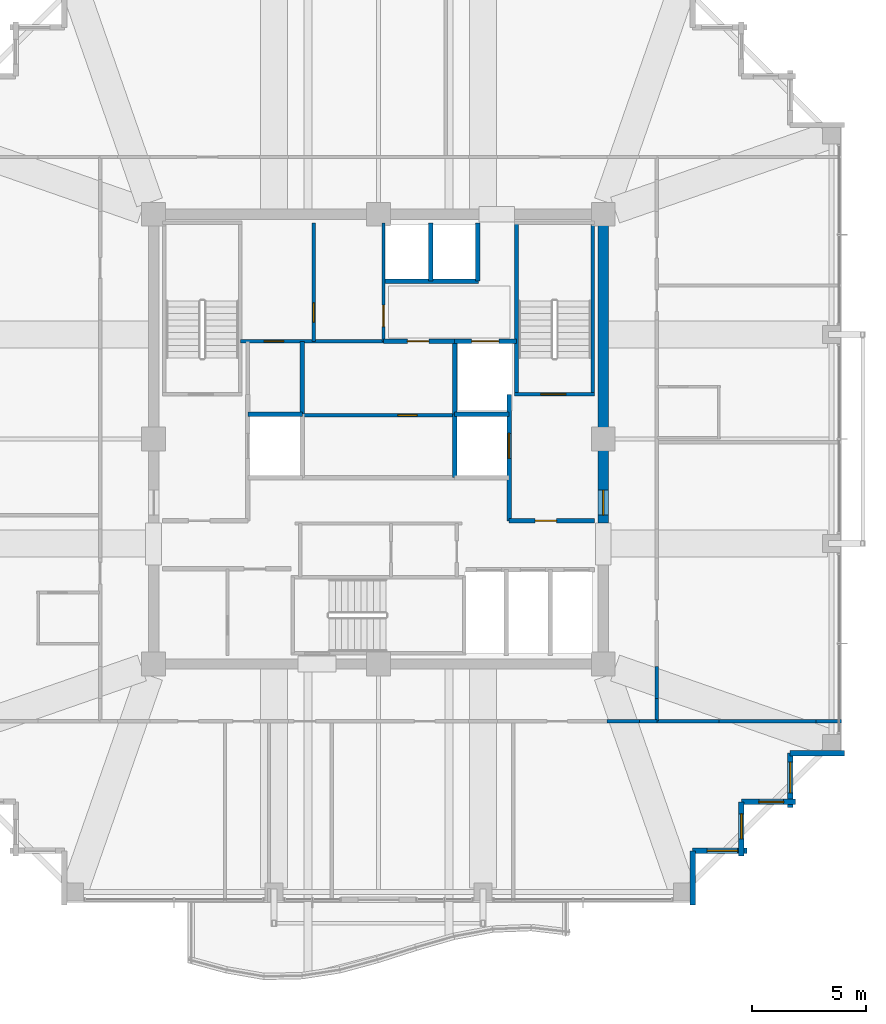
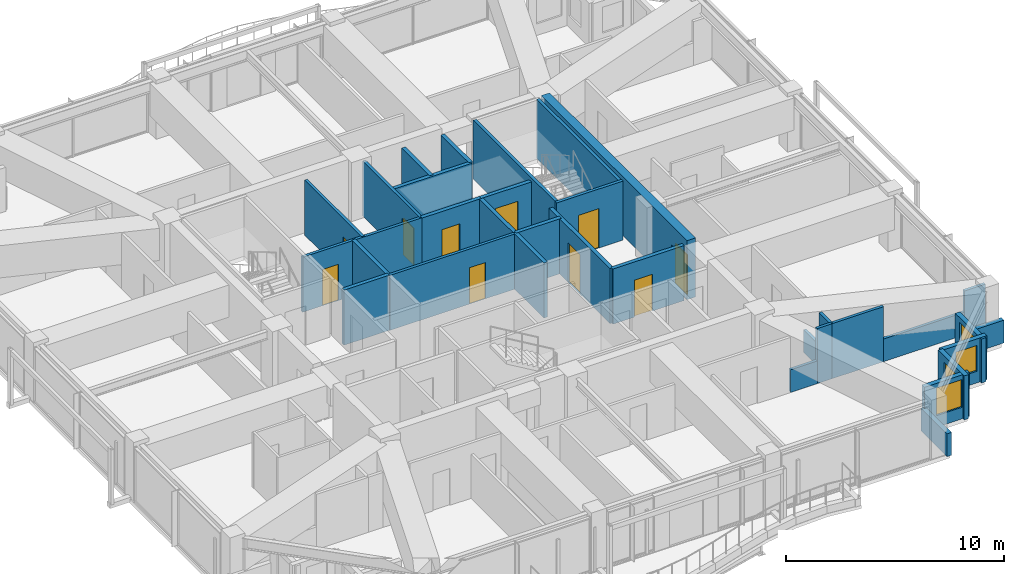
# One storey, part 33 of 37: 33 walls, 10 doors, 4 windows, 14 openings.
"""IFC4 building model written with IfcOpenShell, lengths in metres."""

from ifc_helpers import new_model, si_unit, direction, frame, frame_2d, origin, place, context, subcontext, project, spatial, rectangle, extrude, material, layer, layer_set, type_object, element, fill, save


model = new_model("IFC4")

# Units and contexts
model_context = context("Model", 3, precision=1e-05, world=origin(), true_north=direction((0.0, 1.0)))
body_context = subcontext(model_context, "Body", "Model", "MODEL_VIEW")
ifc_project = project(units=[si_unit("LENGTHUNIT", "METRE"), si_unit("AREAUNIT", "SQUARE_METRE"), si_unit("VOLUMEUNIT", "CUBIC_METRE"), si_unit("PLANEANGLEUNIT", "RADIAN"), si_unit("MASSUNIT", "GRAM", prefix="KILO")], contexts=[model_context])

# Site, building, storey
site_placement = place(None, origin())
site = spatial("IfcSite", under=ifc_project, at=site_placement, CompositionType="ELEMENT")
building_placement = place(site_placement, origin())
building = spatial("IfcBuilding", under=site, at=building_placement, Name="Kolvaren Belvedere", CompositionType="ELEMENT")
storey_placement = place(building_placement, frame((0.0, 0.0, 219.60009765625)))
storey = spatial("IfcBuildingStorey", under=building, at=storey_placement, Name="L64", CompositionType="ELEMENT", Elevation=219.60009765625)

# Wall, opening, door
ifc_material_1 = material(Name="Concrete C50/60", Category="concrete")
ifc_layer_1 = layer(ifc_material_1, 0.449951171875)
ifc_layer_set_1 = layer_set([ifc_layer_1], Name="Concrete C50/60")
wall_type_1 = type_object("IfcWallType", Name="CW-CORE-450", PredefinedType="SHEAR", material=ifc_layer_set_1)
wall_1_placement = place(storey_placement, frame((9.89990234375, -3.699951171875, 0.0), z_axis=(0.0, 0.0, 1.0), x_axis=(0.0, 1.0, 0.0)))
wall_1 = element("IfcWall", 1, at=wall_1_placement, inside=storey, type_object=wall_type_1, Name="L64 East Core Shear Wall 2", PredefinedType="SHEAR", context=body_context, shape_type="SweptSolid", body=[
    extrude(rectangle(XDim=13.375, YDim=0.449951171875, at=frame_2d((6.6875, 0.0))), origin(), (0.0, 0.0, 1.0), 3.2998046875),
])
opening_1_placement = place(wall_1_placement, frame((0.35009765625, 0.0, 0.0)))
opening_1 = element("IfcOpeningElement", 2, at=opening_1_placement, cuts=wall_1, Name="Opening D-FD90", PredefinedType="OPENING", context=body_context, shape_type="SweptSolid", body=[
    extrude(rectangle(XDim=1.10009765625, YDim=2.199951171875, at=frame_2d((0.550048828125, 1.10009765625))), frame((0.0, 0.23486328125, 0.0), z_axis=(0.0, -1.0, 0.0), x_axis=(1.0, 0.0, 0.0)), (0.0, 0.0, 1.0), 0.469970703125),
])
ifc_material_2 = material(Name="Painted hollow stainless steel", Category="steel")
door_type_1 = type_object("IfcDoorType", Name="DR-FD90-1100", OperationType="NOTDEFINED", PredefinedType="DOOR", material=ifc_material_2)
door_1_placement = place(opening_1_placement, origin())
door_1 = element("IfcDoor", 3, at=door_1_placement, inside=storey, type_object=door_type_1, Name="L64 East Firefighting Lobby Fire Door", OperationType="SINGLE_SWING_RIGHT", OverallHeight=2.199951171875, OverallWidth=1.10009765625, PredefinedType="DOOR", context=body_context, shape_type="SweptSolid", body=[
    extrude(rectangle(XDim=1.10009765625, YDim=2.199951171875, at=frame_2d((0.550048828125, 1.10009765625))), frame((0.0, 0.02490234375, 0.0), z_axis=(0.0, -1.0, 0.0), x_axis=(1.0, 0.0, 0.0)), (0.0, 0.0, 1.0), 0.050048828125),
])
fill(opening_1, door_1)

ifc_material_3 = material(Name="Concrete C50/60", Category="concrete")
ifc_layer_2 = layer(ifc_material_3, 0.159912109375)
ifc_layer_set_2 = layer_set([ifc_layer_2], Name="Concrete C50/60")
wall_type_2 = type_object("IfcWallType", Name="CW-STAIR-160", PredefinedType="SHEAR", material=ifc_layer_set_2)
wall_2_placement = place(storey_placement, frame((6.0, 1.969970703125, 0.0), z_axis=(0.0, 0.0, 1.0), x_axis=(1.0, 0.0, 0.0)))
wall_2 = element("IfcWall", 4, at=wall_2_placement, inside=storey, type_object=wall_type_2, Name="L64 Stair ST-2 South Shear Wall", PredefinedType="SHEAR", context=body_context, shape_type="SweptSolid", body=[
    extrude(rectangle(XDim=3.52001953125, YDim=0.159912109375, at=frame_2d((1.760009765625, 0.0))), origin(), (0.0, 0.0, 1.0), 3.2998046875),
])
opening_2_placement = place(wall_2_placement, frame((1.14990234375, 0.0, 0.0)))
opening_2 = element("IfcOpeningElement", 5, at=opening_2_placement, cuts=wall_2, Name="Opening D-FD90", PredefinedType="OPENING", context=body_context, shape_type="SweptSolid", body=[
    extrude(rectangle(XDim=1.10009765625, YDim=2.199951171875, at=frame_2d((0.550048828125, 1.10009765625))), frame((0.0, 0.08984375, 0.0), z_axis=(0.0, -1.0, 0.0), x_axis=(1.0, 0.0, 0.0)), (0.0, 0.0, 1.0), 0.179931640625),
])
door_2_placement = place(opening_2_placement, origin())
door_2 = element("IfcDoor", 6, at=door_2_placement, inside=storey, type_object=door_type_1, Name="L64 Stair ST-2 Fire Door", OperationType="SINGLE_SWING_RIGHT", OverallHeight=2.199951171875, OverallWidth=1.10009765625, PredefinedType="DOOR", context=body_context, shape_type="SweptSolid", body=[
    extrude(rectangle(XDim=1.10009765625, YDim=2.199951171875, at=frame_2d((0.550048828125, 1.10009765625))), frame((0.0, 0.02490234375, 0.0), z_axis=(0.0, -1.0, 0.0), x_axis=(1.0, 0.0, 0.0)), (0.0, 0.0, 1.0), 0.050048828125),
])
fill(opening_2, door_2)

# Walls
for number, where, z_axis, x_axis, name in (
    (7, (6.080078125, 1.969970703125, 0.0), (0.0, 0.0, 1.0), (0.0, 1.0, 0.0), "L64 Stair ST-2 West Shear Wall"),
    (8, (9.429931640625, 1.969970703125, 0.0), (0.0, 0.0, 1.0), (0.0, 1.0, 0.0), "L64 Stair ST-2 East Shear Wall"),
):
    element("IfcWall", number, at=place(storey_placement, frame(where, z_axis=z_axis, x_axis=x_axis)), inside=storey, type_object=wall_type_2, Name=name, PredefinedType="SHEAR", context=body_context, shape_type="SweptSolid", body=[
        extrude(rectangle(XDim=7.56005859375, YDim=0.159912109375, at=frame_2d((3.780029296875, 0.0))), origin(), (0.0, 0.0, 1.0), 3.2998046875),
    ])
ifc_material_4 = material(Name="Gypsum fire-rated partition assembly", Category="gypsum")
ifc_layer_3 = layer(ifc_material_4, 0.14990234375)
ifc_layer_set_3 = layer_set([ifc_layer_3], Name="Gypsum fire-rated partition assembly")
wall_type_3 = type_object("IfcWallType", Name="WL-CORR-150", PredefinedType="PARTITIONING", material=ifc_layer_set_3)
wall_3_placement = place(storey_placement, frame((10.0693359375, -12.419921875, 0.0), z_axis=(0.0, 0.0, 1.0), x_axis=(1.0, 0.0, 0.0)))
element("IfcWall", 9, at=wall_3_placement, inside=storey, type_object=wall_type_3, Name="L64 South Corridor Wall", PredefinedType="PARTITIONING", context=body_context, shape_type="SweptSolid", body=[
    extrude(rectangle(XDim=1.416748046875, YDim=0.14990234375, at=frame_2d((0.70849609375, 0.0))), origin(), (0.0, 0.0, 1.0), 1.264892578125),
])
wall_4_placement = place(storey_placement, frame((11.486083984375, -12.419921875, 0.0), z_axis=(0.0, 0.0, 1.0), x_axis=(1.0, 0.0, 0.0)))
element("IfcWall", 10, at=wall_4_placement, inside=storey, type_object=wall_type_3, Name="L64 South Corridor Wall", PredefinedType="PARTITIONING", context=body_context, shape_type="SweptSolid", body=[
    extrude(rectangle(XDim=0.77392578125, YDim=0.14990234375, at=frame_2d((0.386962890625, 0.0))), origin(), (0.0, 0.0, 1.0), 3.079833984375),
])
wall_5_placement = place(storey_placement, frame((12.260009765625, -12.419921875, 0.0), z_axis=(0.0, 0.0, 1.0), x_axis=(0.0, 1.0, 0.0)))
element("IfcWall", 11, at=wall_5_placement, inside=storey, type_object=wall_type_3, Name="L64 East Corridor Wall", PredefinedType="PARTITIONING", context=body_context, shape_type="SweptSolid", body=[
    extrude(rectangle(XDim=0.989501953125, YDim=0.14990234375, at=frame_2d((0.49462890625, 0.0))), origin(), (0.0, 0.0, 1.0), 3.079833984375),
])
wall_6_placement = place(storey_placement, frame((12.260009765625, -11.430419921875, 0.0), z_axis=(0.0, 0.0, 1.0), x_axis=(0.0, 1.0, 0.0)))
element("IfcWall", 12, at=wall_6_placement, inside=storey, type_object=wall_type_3, Name="L64 East Corridor Wall", PredefinedType="PARTITIONING", context=body_context, shape_type="SweptSolid", body=[
    extrude(rectangle(XDim=1.416748046875, YDim=0.14990234375, at=frame_2d((0.70849609375, 0.0))), origin(), (0.0, 0.0, 1.0), 1.264892578125),
])
ifc_material_5 = material(Name="Insulated pale-metal facade wall assembly", Category="aluminium")
ifc_layer_4 = layer(ifc_material_5, 0.239990234375)
ifc_layer_set_4 = layer_set([ifc_layer_4], Name="Insulated pale-metal facade wall assembly")
wall_type_4 = type_object("IfcWallType", Name="WL-EXT-240", PredefinedType="STANDARD", material=ifc_layer_set_4)
wall_7_placement = place(storey_placement, frame((13.830078125, -18.1298828125, 0.0), z_axis=(0.0, 0.0, 1.0), x_axis=(0.0, -1.0, 0.0)))
element("IfcWall", 13, at=wall_7_placement, inside=storey, type_object=wall_type_4, Name="L64 Serrated Corner Facade Wall 2", PredefinedType="STANDARD", context=body_context, shape_type="SweptSolid", body=[
    extrude(rectangle(XDim=2.39013671875, YDim=0.239990234375, at=frame_2d((1.195068359375, 0.0))), origin(), (0.0, 0.0, 1.0), 1.27490234375),
])

# Wall, opening, window
wall_8_placement = place(storey_placement, frame((16.219970703125, -18.1298828125, 0.0), z_axis=(0.0, 0.0, 1.0), x_axis=(-1.0, 0.0, 0.0)))
wall_8 = element("IfcWall", 14, at=wall_8_placement, inside=storey, type_object=wall_type_4, Name="L64 Serrated Corner Facade Wall 3", PredefinedType="STANDARD", context=body_context, shape_type="SweptSolid", body=[
    extrude(rectangle(XDim=2.389892578125, YDim=0.239990234375, at=frame_2d((1.19482421875, 0.0))), origin(), (0.0, 0.0, 1.0), 2.462890625),
])
opening_3_placement = place(wall_8_placement, frame((0.39990234375, 0.0, 0.64990234375)))
opening_3 = element("IfcOpeningElement", 15, at=opening_3_placement, cuts=wall_8, Name="Opening W-1350", PredefinedType="OPENING", context=body_context, shape_type="SweptSolid", body=[
    extrude(rectangle(XDim=1.35009765625, YDim=1.550048828125, at=frame_2d((0.675048828125, 0.77490234375))), frame((0.0, 0.1298828125, 0.0), z_axis=(0.0, -1.0, 0.0), x_axis=(1.0, 0.0, 0.0)), (0.0, 0.0, 1.0), 0.260009765625),
])
ifc_material_6 = material(Name="Low-iron triple insulated glass", Category="glass")
window_type_1 = type_object("IfcWindowType", Name="WN-CORN-1350", PartitioningType="SINGLE_PANEL", PredefinedType="WINDOW", material=ifc_material_6)
window_1_placement = place(opening_3_placement, origin())
window_1 = element("IfcWindow", 16, at=window_1_placement, inside=storey, type_object=window_type_1, Name="L64 Serrated Corner Vision Window 3", OverallHeight=1.550048828125, OverallWidth=1.35009765625, PartitioningType="SINGLE_PANEL", PredefinedType="WINDOW", context=body_context, shape_type="SweptSolid", body=[
    extrude(rectangle(XDim=1.35009765625, YDim=1.550048828125, at=frame_2d((0.675048828125, 0.77490234375))), frame((0.0, 0.030029296875, 0.0), z_axis=(0.0, -1.0, 0.0), x_axis=(1.0, 0.0, 0.0)), (0.0, 0.0, 1.0), 0.06005859375),
])
fill(opening_3, window_1)

wall_9_placement = place(storey_placement, frame((15.97998046875, -15.97998046875, 0.0), z_axis=(0.0, 0.0, 1.0), x_axis=(0.0, -1.0, 0.0)))
wall_9 = element("IfcWall", 17, at=wall_9_placement, inside=storey, type_object=wall_type_4, Name="L64 Serrated Corner Facade Wall 4", PredefinedType="STANDARD", context=body_context, shape_type="SweptSolid", body=[
    extrude(rectangle(XDim=2.39013671875, YDim=0.239990234375, at=frame_2d((1.195068359375, 0.0))), origin(), (0.0, 0.0, 1.0), 2.462890625),
])
opening_4_placement = place(wall_9_placement, frame((0.52490234375, 0.0, 0.64990234375)))
opening_4 = element("IfcOpeningElement", 18, at=opening_4_placement, cuts=wall_9, Name="Opening W-1100", PredefinedType="OPENING", context=body_context, shape_type="SweptSolid", body=[
    extrude(rectangle(XDim=1.10009765625, YDim=1.449951171875, at=frame_2d((0.550048828125, 0.72509765625))), frame((0.0, 0.1298828125, 0.0), z_axis=(0.0, -1.0, 0.0), x_axis=(1.0, 0.0, 0.0)), (0.0, 0.0, 1.0), 0.260009765625),
])
ifc_material_7 = material(Name="Low-iron triple insulated glass", Category="glass")
window_type_2 = type_object("IfcWindowType", Name="WN-CORN-1100", PartitioningType="SINGLE_PANEL", PredefinedType="WINDOW", material=ifc_material_7)
window_2_placement = place(opening_4_placement, origin())
window_2 = element("IfcWindow", 19, at=window_2_placement, inside=storey, type_object=window_type_2, Name="L64 Serrated Corner Vision Window 4", OverallHeight=1.449951171875, OverallWidth=1.10009765625, PartitioningType="SINGLE_PANEL", PredefinedType="WINDOW", context=body_context, shape_type="SweptSolid", body=[
    extrude(rectangle(XDim=1.10009765625, YDim=1.449951171875, at=frame_2d((0.550048828125, 0.72509765625))), frame((0.0, 0.030029296875, 0.0), z_axis=(0.0, -1.0, 0.0), x_axis=(1.0, 0.0, 0.0)), (0.0, 0.0, 1.0), 0.06005859375),
])
fill(opening_4, window_2)

wall_10_placement = place(storey_placement, frame((18.3701171875, -15.97998046875, 0.0), z_axis=(0.0, 0.0, 1.0), x_axis=(-1.0, 0.0, 0.0)))
wall_10 = element("IfcWall", 20, at=wall_10_placement, inside=storey, type_object=wall_type_4, Name="L64 Serrated Corner Facade Wall 5", PredefinedType="STANDARD", context=body_context, shape_type="SweptSolid", body=[
    extrude(rectangle(XDim=2.39013671875, YDim=0.239990234375, at=frame_2d((1.195068359375, 0.0))), origin(), (0.0, 0.0, 1.0), 2.462890625),
])
opening_5_placement = place(wall_10_placement, frame((0.52490234375, 0.0, 0.64990234375)))
opening_5 = element("IfcOpeningElement", 21, at=opening_5_placement, cuts=wall_10, Name="Opening W-1100", PredefinedType="OPENING", context=body_context, shape_type="SweptSolid", body=[
    extrude(rectangle(XDim=1.10009765625, YDim=1.449951171875, at=frame_2d((0.550048828125, 0.72509765625))), frame((0.0, 0.1298828125, 0.0), z_axis=(0.0, -1.0, 0.0), x_axis=(1.0, 0.0, 0.0)), (0.0, 0.0, 1.0), 0.260009765625),
])
window_3_placement = place(opening_5_placement, origin())
window_3 = element("IfcWindow", 22, at=window_3_placement, inside=storey, type_object=window_type_2, Name="L64 Serrated Corner Vision Window 5", OverallHeight=1.449951171875, OverallWidth=1.10009765625, PartitioningType="SINGLE_PANEL", PredefinedType="WINDOW", context=body_context, shape_type="SweptSolid", body=[
    extrude(rectangle(XDim=1.10009765625, YDim=1.449951171875, at=frame_2d((0.550048828125, 0.72509765625))), frame((0.0, 0.030029296875, 0.0), z_axis=(0.0, -1.0, 0.0), x_axis=(1.0, 0.0, 0.0)), (0.0, 0.0, 1.0), 0.06005859375),
])
fill(opening_5, window_3)

wall_11_placement = place(storey_placement, frame((18.1298828125, -13.830078125, 0.0), z_axis=(0.0, 0.0, 1.0), x_axis=(0.0, -1.0, 0.0)))
wall_11 = element("IfcWall", 23, at=wall_11_placement, inside=storey, type_object=wall_type_4, Name="L64 Serrated Corner Facade Wall 6", PredefinedType="STANDARD", context=body_context, shape_type="SweptSolid", body=[
    extrude(rectangle(XDim=2.389892578125, YDim=0.239990234375, at=frame_2d((1.19482421875, 0.0))), origin(), (0.0, 0.0, 1.0), 2.462890625),
])
opening_6_placement = place(wall_11_placement, frame((0.39990234375, 0.0, 0.64990234375)))
opening_6 = element("IfcOpeningElement", 24, at=opening_6_placement, cuts=wall_11, Name="Opening W-1350", PredefinedType="OPENING", context=body_context, shape_type="SweptSolid", body=[
    extrude(rectangle(XDim=1.35009765625, YDim=1.550048828125, at=frame_2d((0.675048828125, 0.77490234375))), frame((0.0, 0.1298828125, 0.0), z_axis=(0.0, -1.0, 0.0), x_axis=(1.0, 0.0, 0.0)), (0.0, 0.0, 1.0), 0.260009765625),
])
window_4_placement = place(opening_6_placement, origin())
window_4 = element("IfcWindow", 25, at=window_4_placement, inside=storey, type_object=window_type_1, Name="L64 Serrated Corner Vision Window 6", OverallHeight=1.550048828125, OverallWidth=1.35009765625, PartitioningType="SINGLE_PANEL", PredefinedType="WINDOW", context=body_context, shape_type="SweptSolid", body=[
    extrude(rectangle(XDim=1.35009765625, YDim=1.550048828125, at=frame_2d((0.675048828125, 0.77490234375))), frame((0.0, 0.030029296875, 0.0), z_axis=(0.0, -1.0, 0.0), x_axis=(1.0, 0.0, 0.0)), (0.0, 0.0, 1.0), 0.06005859375),
])
fill(opening_6, window_4)

# Wall
wall_12_placement = place(storey_placement, frame((20.52001953125, -13.830078125, 0.0), z_axis=(0.0, 0.0, 1.0), x_axis=(-1.0, 0.0, 0.0)))
element("IfcWall", 26, at=wall_12_placement, inside=storey, type_object=wall_type_4, Name="L64 Serrated Corner Facade Wall 7", PredefinedType="STANDARD", context=body_context, shape_type="SweptSolid", body=[
    extrude(rectangle(XDim=2.39013671875, YDim=0.239990234375, at=frame_2d((1.195068359375, 0.0))), origin(), (0.0, 0.0, 1.0), 1.27490234375),
])

# Wall, opening, door
ifc_material_8 = material(Name="Gypsum acoustic partition assembly", Category="gypsum")
ifc_layer_5 = layer(ifc_material_8, 0.14990234375)
ifc_layer_set_5 = layer_set([ifc_layer_5], Name="Gypsum acoustic partition assembly")
wall_type_5 = type_object("IfcWallType", Name="WL-PART-150", PredefinedType="PARTITIONING", material=ifc_layer_set_5)
wall_13_placement = place(storey_placement, frame((-6.080078125, 4.300048828125, 0.0), z_axis=(0.0, 0.0, 1.0), x_axis=(1.0, 0.0, 0.0)))
wall_13 = element("IfcWall", 27, at=wall_13_placement, inside=storey, type_object=wall_type_5, Name="L64 Reclaimed Salon South Wall", PredefinedType="PARTITIONING", context=body_context, shape_type="SweptSolid", body=[
    extrude(rectangle(XDim=6.300048828125, YDim=0.14990234375, at=frame_2d((3.14990234375, 0.0))), origin(), (0.0, 0.0, 1.0), 3.079833984375),
])
opening_7_placement = place(wall_13_placement, frame((1.050048828125, 0.0, 0.0)))
opening_7 = element("IfcOpeningElement", 28, at=opening_7_placement, cuts=wall_13, Name="Opening D-INT85", PredefinedType="OPENING", context=body_context, shape_type="SweptSolid", body=[
    extrude(rectangle(XDim=0.85009765625, YDim=2.030029296875, at=frame_2d((0.425048828125, 1.01513671875))), frame((0.0, 0.0849609375, 0.0), z_axis=(0.0, -1.0, 0.0), x_axis=(1.0, 0.0, 0.0)), (0.0, 0.0, 1.0), 0.169921875),
])
ifc_material_9 = material(Name="Stained Pacific white oak", Category="timber")
door_type_2 = type_object("IfcDoorType", Name="DR-INT-850", OperationType="NOTDEFINED", PredefinedType="DOOR", material=ifc_material_9)
door_3_placement = place(opening_7_placement, origin())
door_3 = element("IfcDoor", 29, at=door_3_placement, inside=storey, type_object=door_type_2, Name="L64 NW Core Store Door", OperationType="SINGLE_SWING_RIGHT", OverallHeight=2.030029296875, OverallWidth=0.85009765625, PredefinedType="DOOR", context=body_context, shape_type="SweptSolid", body=[
    extrude(rectangle(XDim=0.85009765625, YDim=2.030029296875, at=frame_2d((0.425048828125, 1.01513671875))), frame((0.0, 0.02490234375, 0.0), z_axis=(0.0, -1.0, 0.0), x_axis=(1.0, 0.0, 0.0)), (0.0, 0.0, 1.0), 0.050048828125),
])
fill(opening_7, door_3)

wall_14_placement = place(storey_placement, frame((0.219970703125, 4.300048828125, 0.0), z_axis=(0.0, 0.0, 1.0), x_axis=(0.0, 1.0, 0.0)))
wall_14 = element("IfcWall", 30, at=wall_14_placement, inside=storey, type_object=wall_type_5, Name="L64 Reclaimed Salon East Wall", PredefinedType="PARTITIONING", context=body_context, shape_type="SweptSolid", body=[
    extrude(rectangle(XDim=5.219970703125, YDim=0.14990234375, at=frame_2d((2.60986328125, 0.0))), origin(), (0.0, 0.0, 1.0), 3.079833984375),
])
opening_8_placement = place(wall_14_placement, frame((0.64990234375, 0.0, 0.0)))
opening_8 = element("IfcOpeningElement", 31, at=opening_8_placement, cuts=wall_14, Name="Opening D-INT95", PredefinedType="OPENING", context=body_context, shape_type="SweptSolid", body=[
    extrude(rectangle(XDim=0.949951171875, YDim=2.06005859375, at=frame_2d((0.47509765625, 1.030029296875))), frame((0.0, 0.0849609375, 0.0), z_axis=(0.0, -1.0, 0.0), x_axis=(1.0, 0.0, 0.0)), (0.0, 0.0, 1.0), 0.169921875),
])
ifc_material_10 = material(Name="Stained Pacific white oak", Category="timber")
door_type_3 = type_object("IfcDoorType", Name="DR-INT-950", OperationType="NOTDEFINED", PredefinedType="DOOR", material=ifc_material_10)
door_4_placement = place(opening_8_placement, origin())
door_4 = element("IfcDoor", 32, at=door_4_placement, inside=storey, type_object=door_type_3, Name="L64 Sky Boardroom Door", OperationType="SINGLE_SWING_LEFT", OverallHeight=2.06005859375, OverallWidth=0.949951171875, PredefinedType="DOOR", context=body_context, shape_type="SweptSolid", body=[
    extrude(rectangle(XDim=0.949951171875, YDim=2.06005859375, at=frame_2d((0.47509765625, 1.030029296875))), frame((0.0, 0.02490234375, 0.0), z_axis=(0.0, -1.0, 0.0), x_axis=(1.0, 0.0, 0.0)), (0.0, 0.0, 1.0), 0.050048828125),
])
fill(opening_8, door_4)

wall_15_placement = place(storey_placement, frame((-2.85009765625, 4.300048828125, 0.0), z_axis=(0.0, 0.0, 1.0), x_axis=(0.0, 1.0, 0.0)))
wall_15 = element("IfcWall", 33, at=wall_15_placement, inside=storey, type_object=wall_type_5, Name="L64 Reclaimed Salon Divider", PredefinedType="PARTITIONING", context=body_context, shape_type="SweptSolid", body=[
    extrude(rectangle(XDim=5.219970703125, YDim=0.14990234375, at=frame_2d((2.60986328125, 0.0))), origin(), (0.0, 0.0, 1.0), 3.079833984375),
])
opening_9_placement = place(wall_15_placement, frame((0.85009765625, 0.0, 0.0)))
opening_9 = element("IfcOpeningElement", 34, at=opening_9_placement, cuts=wall_15, Name="Opening D-INT85", PredefinedType="OPENING", context=body_context, shape_type="SweptSolid", body=[
    extrude(rectangle(XDim=0.85009765625, YDim=2.030029296875, at=frame_2d((0.425048828125, 1.01513671875))), frame((0.0, 0.0849609375, 0.0), z_axis=(0.0, -1.0, 0.0), x_axis=(1.0, 0.0, 0.0)), (0.0, 0.0, 1.0), 0.169921875),
])
door_5_placement = place(opening_9_placement, origin())
door_5 = element("IfcDoor", 35, at=door_5_placement, inside=storey, type_object=door_type_2, Name="L64 Beverage Pantry Door", OperationType="SINGLE_SWING_RIGHT", OverallHeight=2.030029296875, OverallWidth=0.85009765625, PredefinedType="DOOR", context=body_context, shape_type="SweptSolid", body=[
    extrude(rectangle(XDim=0.85009765625, YDim=2.030029296875, at=frame_2d((0.425048828125, 1.01513671875))), frame((0.0, 0.02490234375, 0.0), z_axis=(0.0, -1.0, 0.0), x_axis=(1.0, 0.0, 0.0)), (0.0, 0.0, 1.0), 0.050048828125),
])
fill(opening_9, door_5)

wall_16_placement = place(storey_placement, frame((-3.35009765625, 1.050048828125, 0.0), z_axis=(0.0, 0.0, 1.0), x_axis=(1.0, 0.0, 0.0)))
wall_16 = element("IfcWall", 36, at=wall_16_placement, inside=storey, type_object=wall_type_5, Name="L64 Central Core H-Divider", PredefinedType="PARTITIONING", context=body_context, shape_type="SweptSolid", body=[
    extrude(rectangle(XDim=6.7001953125, YDim=0.14990234375, at=frame_2d((3.35009765625, 0.0))), origin(), (0.0, 0.0, 1.0), 3.079833984375),
])
opening_10_placement = place(wall_16_placement, frame((4.199951171875, 0.0, 0.0)))
opening_10 = element("IfcOpeningElement", 37, at=opening_10_placement, cuts=wall_16, Name="Opening D-INT85", PredefinedType="OPENING", context=body_context, shape_type="SweptSolid", body=[
    extrude(rectangle(XDim=0.85009765625, YDim=2.030029296875, at=frame_2d((0.425048828125, 1.01513671875))), frame((0.0, 0.0849609375, 0.0), z_axis=(0.0, -1.0, 0.0), x_axis=(1.0, 0.0, 0.0)), (0.0, 0.0, 1.0), 0.169921875),
])
door_6_placement = place(opening_10_placement, origin())
door_6 = element("IfcDoor", 38, at=door_6_placement, inside=storey, type_object=door_type_2, Name="L64 Central Archive Door", OperationType="SINGLE_SWING_LEFT", OverallHeight=2.030029296875, OverallWidth=0.85009765625, PredefinedType="DOOR", context=body_context, shape_type="SweptSolid", body=[
    extrude(rectangle(XDim=0.85009765625, YDim=2.030029296875, at=frame_2d((0.425048828125, 1.01513671875))), frame((0.0, 0.02490234375, 0.0), z_axis=(0.0, -1.0, 0.0), x_axis=(1.0, 0.0, 0.0)), (0.0, 0.0, 1.0), 0.050048828125),
])
fill(opening_10, door_6)

# Walls
wall_17_placement = place(storey_placement, frame((12.260009765625, -12.419921875, 0.0), z_axis=(0.0, 0.0, 1.0), x_axis=(1.0, 0.0, 0.0)))
element("IfcWall", 39, at=wall_17_placement, inside=storey, type_object=wall_type_5, Name="L64 Wing Divider PW-L64-QSE", PredefinedType="PARTITIONING", context=body_context, shape_type="SweptSolid", body=[
    extrude(rectangle(XDim=2.7353515625, YDim=0.14990234375, at=frame_2d((1.36767578125, 0.0))), origin(), (0.0, 0.0, 1.0), 3.079833984375),
])
wall_18_placement = place(storey_placement, frame((14.995361328125, -12.419921875, 0.0), z_axis=(0.0, 0.0, 1.0), x_axis=(1.0, 0.0, 0.0)))
element("IfcWall", 40, at=wall_18_placement, inside=storey, type_object=wall_type_5, Name="L64 Wing Divider PW-L64-QSE", PredefinedType="PARTITIONING", context=body_context, shape_type="SweptSolid", body=[
    extrude(rectangle(XDim=4.28125, YDim=0.14990234375, at=frame_2d((2.140625, 0.0))), origin(), (0.0, 0.0, 1.0), 1.264892578125),
])
wall_19_placement = place(storey_placement, frame((19.276611328125, -12.419921875, 0.0), z_axis=(0.0, 0.0, 1.0), x_axis=(1.0, 0.0, 0.0)))
element("IfcWall", 41, at=wall_19_placement, inside=storey, type_object=wall_type_5, Name="L64 Wing Divider PW-L64-QSE", PredefinedType="PARTITIONING", context=body_context, shape_type="SweptSolid", body=[
    extrude(rectangle(XDim=1.103271484375, YDim=0.14990234375, at=frame_2d((0.5517578125, 0.0))), origin(), (0.0, 0.0, 1.0), 2.452880859375),
])
ifc_material_11 = material(Name="Concrete C50/60", Category="concrete")
ifc_layer_6 = layer(ifc_material_11, 0.199951171875)
ifc_layer_set_6 = layer_set([ifc_layer_6], Name="Concrete C50/60")
wall_type_6 = type_object("IfcWallType", Name="WL-SHAFT-200", PredefinedType="SOLIDWALL", material=ifc_layer_set_6)
wall_20_placement = place(storey_placement, frame((-5.75, 1.10009765625, 0.0), z_axis=(0.0, 0.0, 1.0), x_axis=(1.0, 0.0, 0.0)))
element("IfcWall", 42, at=wall_20_placement, inside=storey, type_object=wall_type_6, Name="L64 FSAE FS1 North Wall", PredefinedType="SOLIDWALL", context=body_context, shape_type="SweptSolid", body=[
    extrude(rectangle(XDim=2.39990234375, YDim=0.199951171875, at=frame_2d((1.199951171875, 0.0))), origin(), (0.0, 0.0, 1.0), 3.079833984375),
])

# Wall, opening, door
wall_21_placement = place(storey_placement, frame((5.75, -3.60009765625, 0.0), z_axis=(0.0, 0.0, 1.0), x_axis=(1.0, 0.0, 0.0)))
wall_21 = element("IfcWall", 43, at=wall_21_placement, inside=storey, type_object=wall_type_6, Name="L64 East FSAE Lobby South Wall", PredefinedType="SOLIDWALL", context=body_context, shape_type="SweptSolid", body=[
    extrude(rectangle(XDim=3.77001953125, YDim=0.199951171875, at=frame_2d((1.885009765625, 0.0))), origin(), (0.0, 0.0, 1.0), 3.079833984375),
])
opening_11_placement = place(wall_21_placement, frame((1.14990234375, 0.0, 0.0)))
opening_11 = element("IfcOpeningElement", 44, at=opening_11_placement, cuts=wall_21, Name="Opening D-FD60", PredefinedType="OPENING", context=body_context, shape_type="SweptSolid", body=[
    extrude(rectangle(XDim=0.949951171875, YDim=2.06005859375, at=frame_2d((0.47509765625, 1.030029296875))), frame((0.0, 0.10986328125, 0.0), z_axis=(0.0, -1.0, 0.0), x_axis=(1.0, 0.0, 0.0)), (0.0, 0.0, 1.0), 0.219970703125),
])
ifc_material_12 = material(Name="Acoustic white-oak fire door leaf", Category="timber")
door_type_4 = type_object("IfcDoorType", Name="DR-FD60-950", OperationType="NOTDEFINED", PredefinedType="DOOR", material=ifc_material_12)
door_7_placement = place(opening_11_placement, origin())
door_7 = element("IfcDoor", 45, at=door_7_placement, inside=storey, type_object=door_type_4, Name="L64 SE Lift Lobby Fire Door", OperationType="SINGLE_SWING_RIGHT", OverallHeight=2.06005859375, OverallWidth=0.949951171875, PredefinedType="DOOR", context=body_context, shape_type="SweptSolid", body=[
    extrude(rectangle(XDim=0.949951171875, YDim=2.06005859375, at=frame_2d((0.47509765625, 1.030029296875))), frame((0.0, 0.02490234375, 0.0), z_axis=(0.0, -1.0, 0.0), x_axis=(1.0, 0.0, 0.0)), (0.0, 0.0, 1.0), 0.050048828125),
])
fill(opening_11, door_7)

wall_22_placement = place(storey_placement, frame((5.75, -3.60009765625, 0.0), z_axis=(0.0, 0.0, 1.0), x_axis=(0.0, 1.0, 0.0)))
wall_22 = element("IfcWall", 46, at=wall_22_placement, inside=storey, type_object=wall_type_6, Name="L64 FSAE FS2 Landing Wall", PredefinedType="SOLIDWALL", context=body_context, shape_type="SweptSolid", body=[
    extrude(rectangle(XDim=5.570068359375, YDim=0.199951171875, at=frame_2d((2.78515625, 0.0))), origin(), (0.0, 0.0, 1.0), 3.079833984375),
])
opening_12_placement = place(wall_22_placement, frame((2.75, 0.0, 0.0)))
opening_12 = element("IfcOpeningElement", 47, at=opening_12_placement, cuts=wall_22, Name="Opening LD-11", PredefinedType="OPENING", context=body_context, shape_type="SweptSolid", body=[
    extrude(rectangle(XDim=1.10009765625, YDim=2.199951171875, at=frame_2d((0.550048828125, 1.10009765625))), frame((0.0, 0.10986328125, 0.0), z_axis=(0.0, -1.0, 0.0), x_axis=(1.0, 0.0, 0.0)), (0.0, 0.0, 1.0), 0.219970703125),
])
ifc_material_13 = material(Name="Brushed stainless steel", Category="steel")
door_type_5 = type_object("IfcDoorType", Name="DR-LIFT-1100", OperationType="DOUBLE_DOOR_SLIDING", PredefinedType="DOOR", material=ifc_material_13)
door_8_placement = place(opening_12_placement, origin())
door_8 = element("IfcDoor", 48, at=door_8_placement, inside=storey, type_object=door_type_5, Name="L64 Firefighting Lift FS2 Landing Door", OperationType="DOUBLE_DOOR_SLIDING", OverallHeight=2.199951171875, OverallWidth=1.10009765625, PredefinedType="DOOR", context=body_context, shape_type="SweptSolid", body=[
    extrude(rectangle(XDim=1.10009765625, YDim=2.199951171875, at=frame_2d((0.550048828125, 1.10009765625))), frame((0.0, 0.02490234375, 0.0), z_axis=(0.0, -1.0, 0.0), x_axis=(1.0, 0.0, 0.0)), (0.0, 0.0, 1.0), 0.050048828125),
])
fill(opening_12, door_8)

# Walls
wall_23_placement = place(storey_placement, frame((3.35009765625, -1.699951171875, 0.0), z_axis=(0.0, 0.0, 1.0), x_axis=(0.0, 1.0, 0.0)))
element("IfcWall", 49, at=wall_23_placement, inside=storey, type_object=wall_type_6, Name="L64 FSAE FS2 Back Wall", PredefinedType="SOLIDWALL", context=body_context, shape_type="SweptSolid", body=[
    extrude(rectangle(XDim=2.800048828125, YDim=0.199951171875, at=frame_2d((1.39990234375, 0.0))), origin(), (0.0, 0.0, 1.0), 3.079833984375),
])
wall_24_placement = place(storey_placement, frame((3.35009765625, 1.10009765625, 0.0), z_axis=(0.0, 0.0, 1.0), x_axis=(1.0, 0.0, 0.0)))
element("IfcWall", 50, at=wall_24_placement, inside=storey, type_object=wall_type_6, Name="L64 FSAE FS2 North Wall", PredefinedType="SOLIDWALL", context=body_context, shape_type="SweptSolid", body=[
    extrude(rectangle(XDim=2.39990234375, YDim=0.199951171875, at=frame_2d((1.199951171875, 0.0))), origin(), (0.0, 0.0, 1.0), 3.079833984375),
])

# Wall, opening, door
wall_25_placement = place(storey_placement, frame((3.35009765625, 4.300048828125, 0.0), z_axis=(0.0, 0.0, 1.0), x_axis=(1.0, 0.0, 0.0)))
wall_25 = element("IfcWall", 51, at=wall_25_placement, inside=storey, type_object=wall_type_6, Name="L64 Service Lift SV1 Front Wall", PredefinedType="SOLIDWALL", context=body_context, shape_type="SweptSolid", body=[
    extrude(rectangle(XDim=2.72998046875, YDim=0.199951171875, at=frame_2d((1.364990234375, 0.0))), origin(), (0.0, 0.0, 1.0), 3.079833984375),
])
opening_13_placement = place(wall_25_placement, frame((0.75, 0.0, 0.0)))
opening_13 = element("IfcOpeningElement", 52, at=opening_13_placement, cuts=wall_25, Name="Opening LD-12", PredefinedType="OPENING", context=body_context, shape_type="SweptSolid", body=[
    extrude(rectangle(XDim=1.199951171875, YDim=2.25, at=frame_2d((0.60009765625, 1.125))), frame((0.0, 0.10986328125, 0.0), z_axis=(0.0, -1.0, 0.0), x_axis=(1.0, 0.0, 0.0)), (0.0, 0.0, 1.0), 0.219970703125),
])
ifc_material_14 = material(Name="Brushed stainless steel", Category="steel")
door_type_6 = type_object("IfcDoorType", Name="DR-LIFT-1200", OperationType="DOUBLE_DOOR_SLIDING", PredefinedType="DOOR", material=ifc_material_14)
door_9_placement = place(opening_13_placement, origin())
door_9 = element("IfcDoor", 53, at=door_9_placement, inside=storey, type_object=door_type_6, Name="L64 Service Lift SV1 Landing Door", OperationType="DOUBLE_DOOR_SLIDING", OverallHeight=2.25, OverallWidth=1.199951171875, PredefinedType="DOOR", context=body_context, shape_type="SweptSolid", body=[
    extrude(rectangle(XDim=1.199951171875, YDim=2.25, at=frame_2d((0.60009765625, 1.125))), frame((0.0, 0.02490234375, 0.0), z_axis=(0.0, -1.0, 0.0), x_axis=(1.0, 0.0, 0.0)), (0.0, 0.0, 1.0), 0.050048828125),
])
fill(opening_13, door_9)

# Walls
wall_26_placement = place(storey_placement, frame((0.219970703125, 6.949951171875, 0.0), z_axis=(0.0, 0.0, 1.0), x_axis=(1.0, 0.0, 0.0)))
element("IfcWall", 54, at=wall_26_placement, inside=storey, type_object=wall_type_6, Name="L64 Express Shuttle Hoistway Wall", PredefinedType="SOLIDWALL", context=body_context, shape_type="SweptSolid", body=[
    extrude(rectangle(XDim=4.179931640625, YDim=0.199951171875, at=frame_2d((2.08984375, 0.0))), origin(), (0.0, 0.0, 1.0), 3.079833984375),
])
for number, where, z_axis, x_axis, name in (
    (55, (4.3798828125, 6.949951171875, 0.0), (0.0, 0.0, 1.0), (0.0, 1.0, 0.0), "L64 Express Shuttle East Wall"),
    (56, (2.31005859375, 6.949951171875, 0.0), (0.0, 0.0, 1.0), (0.0, 1.0, 0.0), "L64 Express Shuttle Divider"),
):
    element("IfcWall", number, at=place(storey_placement, frame(where, z_axis=z_axis, x_axis=x_axis)), inside=storey, type_object=wall_type_6, Name=name, PredefinedType="SOLIDWALL", context=body_context, shape_type="SweptSolid", body=[
        extrude(rectangle(XDim=2.570068359375, YDim=0.199951171875, at=frame_2d((1.28515625, 0.0))), origin(), (0.0, 0.0, 1.0), 3.079833984375),
    ])

# Wall, opening, door
wall_27_placement = place(storey_placement, frame((0.219970703125, 4.300048828125, 0.0), z_axis=(0.0, 0.0, 1.0), x_axis=(1.0, 0.0, 0.0)))
wall_27 = element("IfcWall", 57, at=wall_27_placement, inside=storey, type_object=wall_type_6, Name="L64 Central Core Room North Wall", PredefinedType="SOLIDWALL", context=body_context, shape_type="SweptSolid", body=[
    extrude(rectangle(XDim=3.130126953125, YDim=0.199951171875, at=frame_2d((1.56494140625, 0.0))), origin(), (0.0, 0.0, 1.0), 3.079833984375),
])
opening_14_placement = place(wall_27_placement, frame((1.050048828125, 0.0, 0.0)))
opening_14 = element("IfcOpeningElement", 58, at=opening_14_placement, cuts=wall_27, Name="Opening D-FD60", PredefinedType="OPENING", context=body_context, shape_type="SweptSolid", body=[
    extrude(rectangle(XDim=0.949951171875, YDim=2.06005859375, at=frame_2d((0.47509765625, 1.030029296875))), frame((0.0, 0.10986328125, 0.0), z_axis=(0.0, -1.0, 0.0), x_axis=(1.0, 0.0, 0.0)), (0.0, 0.0, 1.0), 0.219970703125),
])
door_10_placement = place(opening_14_placement, origin())
door_10 = element("IfcDoor", 59, at=door_10_placement, inside=storey, type_object=door_type_4, Name="L64 Central Core Controls Door", OperationType="SINGLE_SWING_LEFT", OverallHeight=2.06005859375, OverallWidth=0.949951171875, PredefinedType="DOOR", context=body_context, shape_type="SweptSolid", body=[
    extrude(rectangle(XDim=0.949951171875, YDim=2.06005859375, at=frame_2d((0.47509765625, 1.030029296875))), frame((0.0, 0.02490234375, 0.0), z_axis=(0.0, -1.0, 0.0), x_axis=(1.0, 0.0, 0.0)), (0.0, 0.0, 1.0), 0.050048828125),
])
fill(opening_14, door_10)

# Walls
for number, where, z_axis, x_axis, name in (
    (60, (-3.35009765625, 1.10009765625, 0.0), (0.0, 0.0, 1.0), (0.0, 1.0, 0.0), "L64 Central Core Room West Wall"),
    (61, (3.35009765625, 1.10009765625, 0.0), (0.0, 0.0, 1.0), (0.0, 1.0, 0.0), "L64 Central Core Room East Wall"),
):
    element("IfcWall", number, at=place(storey_placement, frame(where, z_axis=z_axis, x_axis=x_axis)), inside=storey, type_object=wall_type_6, Name=name, PredefinedType="SOLIDWALL", context=body_context, shape_type="SweptSolid", body=[
        extrude(rectangle(XDim=3.199951171875, YDim=0.199951171875, at=frame_2d((1.60009765625, 0.0))), origin(), (0.0, 0.0, 1.0), 3.079833984375),
    ])

save(model, "model.ifc")
